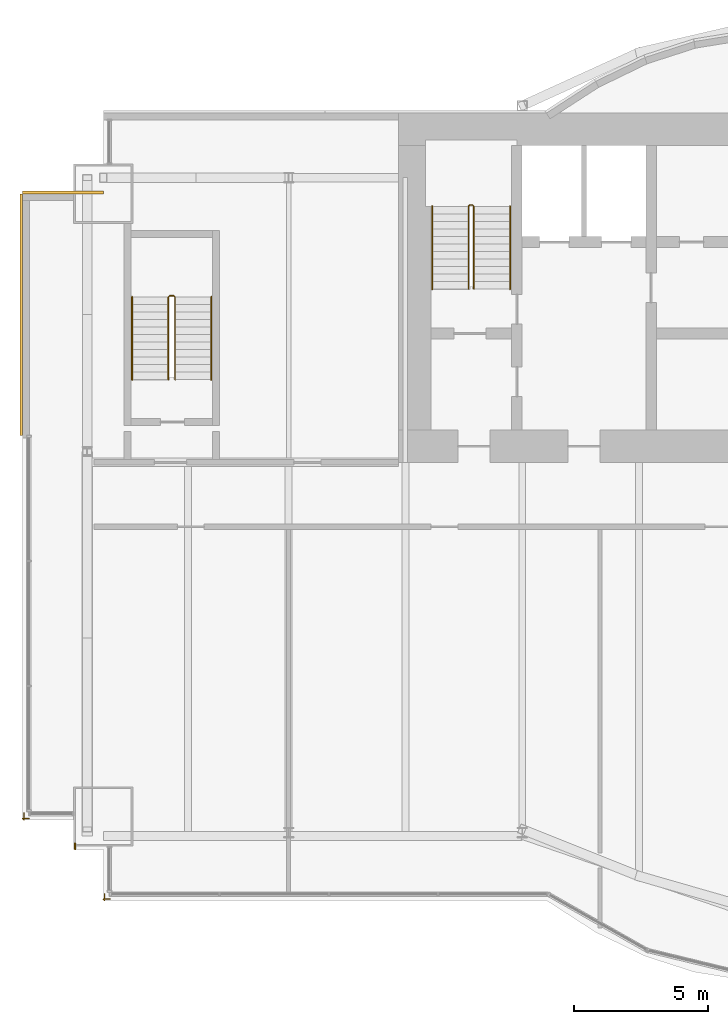
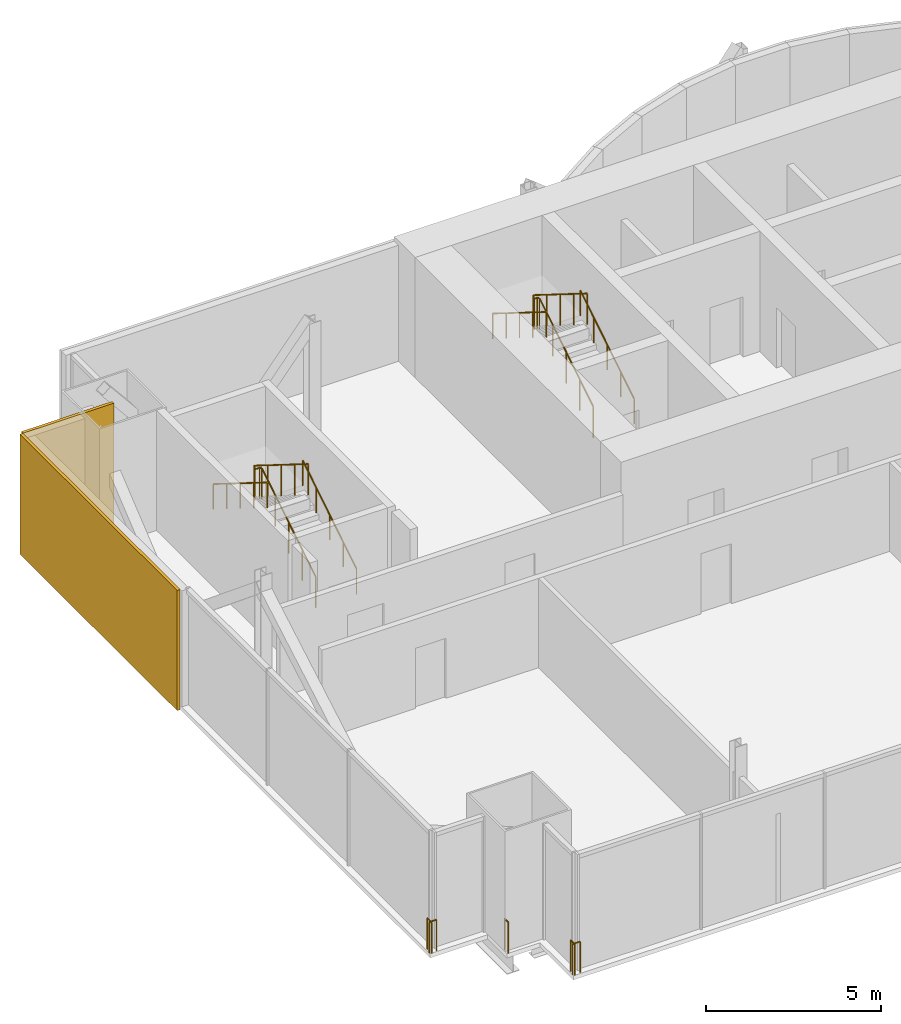
# One storey, part 17 of 19: 9 railings, 2 coverings.
"""IFC4 building model written with IfcOpenShell, lengths in metres."""

import ifcopenshell
import ifcopenshell.guid

model = None  # the IFC model being written
_history = None  # IfcOwnerHistory: only IFC2X3 demands one
_inside = {}  # id of a spatial element -> (the spatial element, [elements in it])
_under = {}  # id of a project, library or spatial element -> (it, [spatial elements below it])
_declared = {}  # id of a project -> (the project, [libraries it declares])
_typed = {}  # id of a type object -> (the type object, [elements of that type])
_made_of = {}  # id of a material, layer set ... -> (it, [elements and type objects made of it])


def new_model(schema):
    """Start an empty IFC model of exactly this schema.

    Asked for "IFC4X3", IfcOpenShell would pick the latest addendum, in which some entities
    have other attributes; the version numbers below select the first issue.
    IFC2X3 requires an IfcOwnerHistory on every rooted entity: one is made here for all.
    """
    global model, _history
    if schema == "IFC4X3":
        model = ifcopenshell.file(schema_version=(4, 3, 0, 0))
    else:
        model = ifcopenshell.file(schema=schema)
    _inside.clear()
    _under.clear()
    _declared.clear()
    _typed.clear()
    _made_of.clear()
    _history = None
    if model.schema == "IFC2X3":
        org = make("IfcOrganization", Name="unknown")
        user = make(
            "IfcPersonAndOrganization",
            ThePerson=make("IfcPerson", FamilyName="unknown"),
            TheOrganization=org,
        )
        app = make(
            "IfcApplication",
            ApplicationDeveloper=org,
            Version="unknown",
            ApplicationFullName="unknown",
            ApplicationIdentifier="unknown",
        )
        _history = make(
            "IfcOwnerHistory",
            OwningUser=user,
            OwningApplication=app,
            ChangeAction="ADDED",
            CreationDate=0,
        )
    return model


def make(cls, **values):
    """One entity of the class cls with the attributes given. An attribute that is None is left unset."""
    return model.create_entity(
        cls, **{name: value for name, value in values.items() if value is not None}
    )


def rooted(cls, **values):
    """An entity with a GlobalId (a new one), such as an element, a storey or a relation."""
    return make(cls, GlobalId=ifcopenshell.guid.new(), OwnerHistory=_history, **values)


def si_unit(unit_type, name, prefix=None):
    """IfcSIUnit, for example si_unit("LENGTHUNIT", "METRE", prefix="MILLI")."""
    return make("IfcSIUnit", UnitType=unit_type, Prefix=prefix, Name=name)


def assignment(units):
    """IfcUnitAssignment: the units of a project."""
    return None if units is None else make("IfcUnitAssignment", Units=units)


def point(xyz):
    """IfcCartesianPoint."""
    return None if xyz is None else make("IfcCartesianPoint", Coordinates=xyz)


def direction(xyz):
    """IfcDirection."""
    return None if xyz is None else make("IfcDirection", DirectionRatios=xyz)


def frame(location, z_axis=None, x_axis=None):
    """IfcAxis2Placement3D, a coordinate frame: its origin and axes. An axis left out is left unset."""
    return make(
        "IfcAxis2Placement3D",
        Location=point(location),
        Axis=direction(z_axis),
        RefDirection=direction(x_axis),
    )


def frame_2d(location, x_axis=None):
    """IfcAxis2Placement2D, a coordinate frame in the plane: its origin and x axis."""
    return make(
        "IfcAxis2Placement2D", Location=point(location), RefDirection=direction(x_axis)
    )


def origin():
    """The frame at (0, 0, 0) with its axes left unset."""
    return frame((0.0, 0.0, 0.0))


def origin_2d():
    """The frame at (0, 0) in the plane with its x axis left unset."""
    return frame_2d((0.0, 0.0))


def place(relative_to, where):
    """IfcLocalPlacement: puts the frame where relative to a parent placement (None: the world)."""
    return make(
        "IfcLocalPlacement", PlacementRelTo=relative_to, RelativePlacement=where
    )


def context(
    kind, dimensions, precision=None, world=None, true_north=None, identifier=None
):
    """IfcGeometricRepresentationContext, for example the 3D "Model" context."""
    return make(
        "IfcGeometricRepresentationContext",
        ContextIdentifier=identifier,
        ContextType=kind,
        CoordinateSpaceDimension=dimensions,
        Precision=precision,
        WorldCoordinateSystem=world,
        TrueNorth=true_north,
    )


def subcontext(parent, identifier, kind, view, scale=None):
    """IfcGeometricRepresentationSubContext, for example "Body" below "Model"."""
    return make(
        "IfcGeometricRepresentationSubContext",
        ContextIdentifier=identifier,
        ContextType=kind,
        ParentContext=parent,
        TargetScale=scale,
        TargetView=view,
    )


def project(units=None, contexts=None):
    """IfcProject with its units and contexts."""
    return rooted(
        "IfcProject",
        Name="project",
        RepresentationContexts=contexts,
        UnitsInContext=assignment(units),
    )


def spatial(cls, under=None, at=None, **own):
    """A site, building, storey or space (cls), placed at a placement, below another one or the project."""
    s = rooted(cls, ObjectPlacement=at, **own)
    if under is not None:
        _under.setdefault(under.id(), (under, []))[1].append(s)
    return s


def profile(cls, at=None, kind="AREA", **sizes):
    """A parametric profile (cls). Its sizes go by their IFC names, for example OverallWidth=200.0."""
    return make(cls, ProfileType=kind, Position=at, **sizes)


def rectangle(**sizes):
    """IfcRectangleProfileDef."""
    return profile("IfcRectangleProfileDef", **sizes)


def circle(**sizes):
    """IfcCircleProfileDef."""
    return profile("IfcCircleProfileDef", **sizes)


def extrude(swept, where, along, depth):
    """IfcExtrudedAreaSolid: the profile swept, set in the frame where, extruded along a direction by depth."""
    return make(
        "IfcExtrudedAreaSolid",
        SweptArea=swept,
        Position=where,
        ExtrudedDirection=direction(along),
        Depth=depth,
    )


def shape(context_of_items, identifier, shape_type, items):
    """IfcShapeRepresentation: the items that make up one representation, for example the "Body"."""
    return make(
        "IfcShapeRepresentation",
        ContextOfItems=context_of_items,
        RepresentationIdentifier=identifier,
        RepresentationType=shape_type,
        Items=items,
    )


def material(Name=None, Category=None):
    """IfcMaterial."""
    return make("IfcMaterial", Name=Name, Category=Category)


def layer(
    of_material, thickness, ventilated=None, Name=None, Category=None, Priority=None
):
    """IfcMaterialLayer: one layer of a wall or slab, of a material (None: an air gap)."""
    return make(
        "IfcMaterialLayer",
        Material=of_material,
        LayerThickness=thickness,
        IsVentilated=ventilated,
        Name=Name,
        Category=Category,
        Priority=Priority,
    )


def layer_set(layers, Name=None):
    """IfcMaterialLayerSet."""
    return make("IfcMaterialLayerSet", MaterialLayers=layers, LayerSetName=Name)


def made_of(thing, what):
    """Note that an element or type object is made of a material, layer set ...; save() writes the relation."""
    if what is not None:
        _made_of.setdefault(what.id(), (what, []))[1].append(thing)
    return thing


def type_object(cls, material=None, **own):
    """A type object (cls), such as IfcWallType, which elements share."""
    return made_of(rooted(cls, **own), material)


def element(
    cls,
    number,
    at=None,
    inside=None,
    cuts=None,
    type_object=None,
    material=None,
    context=None,
    identifier="Body",
    shape_type=None,
    held_by="IfcProductDefinitionShape",
    body=None,
    shapes=None,
    **own,
):
    """One element of the class cls, such as IfcWall. Its Tag is "e" and its number.

    at: its placement. inside: the storey or other place that contains it. cuts: it is an
    opening in that element (IfcRelVoidsElement). A single representation is given by context,
    identifier, shape_type and body (its items); several are given by shapes. held_by: the class
    of the entity that holds the representations. save() writes the other relations.
    """
    e = rooted(cls, Tag="e%d" % number, ObjectPlacement=at, **own)
    if body is not None:
        shapes = [shape(context, identifier, shape_type, body)]
    if shapes is not None:
        e.Representation = make(held_by, Representations=shapes)
    if inside is not None:
        _inside.setdefault(inside.id(), (inside, []))[1].append(e)
    if cuts is not None:
        rooted(
            "IfcRelVoidsElement", RelatingBuildingElement=cuts, RelatedOpeningElement=e
        )
    if type_object is not None:
        _typed.setdefault(type_object.id(), (type_object, []))[1].append(e)
    return made_of(e, material)


def aggregate(whole, parts):
    """IfcRelAggregates: a whole, such as a stair, and the parts it consists of."""
    return rooted("IfcRelAggregates", RelatingObject=whole, RelatedObjects=parts)


def save(model, path):
    """Write the relations noted so far, then the file.

    IfcRelAggregates (storeys below a building ...), IfcRelContainedInSpatialStructure (elements
    in a storey), IfcRelDefinesByType, IfcRelAssociatesMaterial and IfcRelDeclares: one each for
    every whole, place, type object, material and project.
    """
    for whole, parts in _under.values():
        aggregate(whole, parts)
    for where, things in _inside.values():
        rooted(
            "IfcRelContainedInSpatialStructure",
            RelatedElements=things,
            RelatingStructure=where,
        )
    for kind, things in _typed.values():
        rooted("IfcRelDefinesByType", RelatedObjects=things, RelatingType=kind)
    for what, things in _made_of.values():
        rooted("IfcRelAssociatesMaterial", RelatedObjects=things, RelatingMaterial=what)
    for by, libraries in _declared.values():
        rooted("IfcRelDeclares", RelatingContext=by, RelatedDefinitions=libraries)
    model.write(path)


model = new_model("IFC4")

# Units and contexts
model_context = context("Model", 3, precision=1e-05, world=origin(), true_north=direction((0.0, 1.0)))
body_context = subcontext(model_context, "Body", "Model", "MODEL_VIEW")
ifc_project = project(units=[si_unit("LENGTHUNIT", "METRE"), si_unit("AREAUNIT", "SQUARE_METRE"), si_unit("VOLUMEUNIT", "CUBIC_METRE"), si_unit("PLANEANGLEUNIT", "RADIAN"), si_unit("MASSUNIT", "GRAM", prefix="KILO")], contexts=[model_context])

# Site, building, storey
site_placement = place(None, origin())
site = spatial("IfcSite", under=ifc_project, at=site_placement, CompositionType="ELEMENT")
building_placement = place(site_placement, origin())
building = spatial("IfcBuilding", under=site, at=building_placement, Name="Bicima Exchange Tower", CompositionType="ELEMENT")
storey_placement = place(building_placement, frame((0.0, 0.0, 258.199951171875)))
storey = spatial("IfcBuildingStorey", under=building, at=storey_placement, Name="L58", CompositionType="ELEMENT", Elevation=258.199951171875)

# Coverings
ifc_material_1 = material(Name="Bronze metal cladding")
ifc_layer_1 = layer(ifc_material_1, 0.004)
ifc_material_2 = material(Name="Ventilated cavity")
ifc_layer_2 = layer(ifc_material_2, 0.06)
ifc_material_3 = material(Name="Galvanised steel rail and mineral wool", Category="steel")
ifc_layer_3 = layer(ifc_material_3, 0.036)
ifc_layer_set = layer_set([ifc_layer_1, ifc_layer_2, ifc_layer_3], Name="Ventilated cavity")
covering_type = type_object("IfcCoveringType", Name="Bronze metal cladding panel 100", PredefinedType="CLADDING", material=ifc_layer_set)
covering_1_placement = place(storey_placement, frame((-34.5, -2.949951171875, -0.14990234375), z_axis=(0.0, 0.0, 1.0), x_axis=(-1.0, 0.0, 0.0)))
element("IfcCovering", 1, at=covering_1_placement, inside=storey, type_object=covering_type, Name="Bronze cladding L58 22.1", PredefinedType="CLADDING", context=body_context, shape_type="SweptSolid", body=[
    extrude(rectangle(XDim=3.0, YDim=0.10009765625, at=origin_2d()), origin(), (0.0, 0.0, 1.0), 4.199951171875),
])
covering_2_placement = place(storey_placement, frame((-36.050048828125, -7.5, -0.14990234375), z_axis=(0.0, 0.0, 1.0), x_axis=(0.0, -1.0, 0.0)))
element("IfcCovering", 2, at=covering_2_placement, inside=storey, type_object=covering_type, Name="Bronze cladding L58 23.1", PredefinedType="CLADDING", context=body_context, shape_type="SweptSolid", body=[
    extrude(rectangle(XDim=9.0, YDim=0.10009765625, at=origin_2d()), origin(), (0.0, 0.0, 1.0), 4.199951171875),
])

# Railings
ifc_material_4 = material(Name="Stainless steel and bonded safety glass", Category="steel")
railing_type_1 = type_object("IfcRailingType", Name="Edge guard 1100", PredefinedType="GUARDRAIL", material=ifc_material_4)
railing_1_placement = place(storey_placement, frame((-35.762939453125, -26.261962890625, 0.0)))
element("IfcRailing", 3, at=railing_1_placement, inside=storey, type_object=railing_type_1, Name="Edge guard L58 295", PredefinedType="GUARDRAIL", context=body_context, shape_type="SweptSolid", body=[
    extrude(circle(Radius=0.02392578125, at=origin_2d()), frame((0.0, 0.0, 1.076171875), z_axis=(-1.0, 0.0, 0.0), x_axis=(0.0, -1.0, 0.0)), (0.0, 0.0, 1.0), 0.237060546875),
    extrude(circle(Radius=0.02392578125, at=origin_2d()), frame((-0.237060546875, 0.0, 1.076171875), z_axis=(0.707106781187, -0.707106781187, 0.0), x_axis=(0.707106781187, 0.707106781187, 0.0)), (0.0, 0.0, 1.0), 0.07080078125),
    extrude(circle(Radius=0.02392578125, at=origin_2d()), frame((-0.18701171875, -0.050048828125, 1.076171875), z_axis=(0.0, 1.0, 0.0), x_axis=(-1.0, 0.0, 0.0)), (0.0, 0.0, 1.0), 0.248046875),
    extrude(circle(Radius=0.02099609375, at=origin_2d()), origin(), (0.0, 0.0, 1.0), 1.052001953125),
    extrude(circle(Radius=0.02099609375, at=origin_2d()), frame((-0.237060546875, 0.0, 0.0)), (0.0, 0.0, 1.0), 1.052001953125),
    extrude(circle(Radius=0.02099609375, at=origin_2d()), frame((-0.18701171875, -0.050048828125, 0.0)), (0.0, 0.0, 1.0), 1.052001953125),
    extrude(circle(Radius=0.02099609375, at=origin_2d()), frame((-0.18701171875, 0.197998046875, 0.0)), (0.0, 0.0, 1.0), 1.052001953125),
])
railing_2_placement = place(storey_placement, frame((-32.75, -29.261962890625, 0.0)))
element("IfcRailing", 4, at=railing_2_placement, inside=storey, type_object=railing_type_1, Name="Edge guard L58 299", PredefinedType="GUARDRAIL", context=body_context, shape_type="SweptSolid", body=[
    extrude(circle(Radius=0.02392578125, at=origin_2d()), frame((0.0, 0.0, 1.076171875), z_axis=(-1.0, 0.0, 0.0), x_axis=(0.0, -1.0, 0.0)), (0.0, 0.0, 1.0), 0.25),
    extrude(circle(Radius=0.02392578125, at=origin_2d()), frame((-0.25, 0.0, 1.076171875), z_axis=(0.707106781187, -0.707106781187, 0.0), x_axis=(0.707106781187, 0.707106781187, 0.0)), (0.0, 0.0, 1.0), 0.07080078125),
    extrude(circle(Radius=0.02392578125, at=origin_2d()), frame((-0.199951171875, -0.050048828125, 1.076171875), z_axis=(0.0, 1.0, 0.0), x_axis=(-1.0, 0.0, 0.0)), (0.0, 0.0, 1.0), 0.237060546875),
    extrude(circle(Radius=0.02099609375, at=origin_2d()), origin(), (0.0, 0.0, 1.0), 1.052001953125),
    extrude(circle(Radius=0.02099609375, at=origin_2d()), frame((-0.25, 0.0, 0.0)), (0.0, 0.0, 1.0), 1.052001953125),
    extrude(circle(Radius=0.02099609375, at=origin_2d()), frame((-0.199951171875, -0.050048828125, 0.0)), (0.0, 0.0, 1.0), 1.052001953125),
    extrude(circle(Radius=0.02099609375, at=origin_2d()), frame((-0.199951171875, 0.18701171875, 0.0)), (0.0, 0.0, 1.0), 1.052001953125),
])
railing_3_placement = place(storey_placement, frame((-34.050048828125, -27.412109375, 0.0)))
element("IfcRailing", 5, at=railing_3_placement, inside=storey, type_object=railing_type_1, Name="Edge guard L58 300", PredefinedType="GUARDRAIL", context=body_context, shape_type="SweptSolid", body=[
    extrude(circle(Radius=0.02392578125, at=origin_2d()), frame((0.0, 0.0, 1.076171875), z_axis=(0.0, 1.0, 0.0), x_axis=(-1.0, 0.0, 0.0)), (0.0, 0.0, 1.0), 0.22021484375),
    extrude(circle(Radius=0.02099609375, at=origin_2d()), origin(), (0.0, 0.0, 1.0), 1.052001953125),
    extrude(circle(Radius=0.02099609375, at=origin_2d()), frame((0.0, 0.22021484375, 0.0)), (0.0, 0.0, 1.0), 1.052001953125),
])
ifc_material_5 = material(Name="Stainless steel", Category="steel")
railing_type_2 = type_object("IfcRailingType", Name="Stair guard 1100", PredefinedType="GUARDRAIL", material=ifc_material_5)
railing_4_placement = place(storey_placement, frame((-19.199951171875, -6.550048828125, 0.175048828125)))
element("IfcRailing", 6, at=railing_4_placement, inside=storey, type_object=railing_type_2, Name="L58 ST-W stair guard 1", PredefinedType="GUARDRAIL", context=body_context, shape_type="SweptSolid", body=[
    extrude(circle(Radius=0.02392578125, at=origin_2d()), frame((0.0, 0.0, 1.076171875), z_axis=(0.0, 0.847998304005, 0.529998940003), x_axis=(-1.0, 0.0, 0.0)), (0.0, 0.0, 1.0), 3.632080078125),
    extrude(circle(Radius=0.02392578125, at=origin_2d()), frame((0.0, 3.080078125, 3.0009765625), z_axis=(-0.707106781187, 0.707106781187, 0.0), x_axis=(-0.707106781187, -0.707106781187, 0.0)), (0.0, 0.0, 1.0), 0.07080078125),
    extrude(circle(Radius=0.02392578125, at=origin_2d()), frame((-0.050048828125, 3.130126953125, 3.0009765625), z_axis=(-1.0, 0.0, 0.0), x_axis=(0.0, -1.0, 0.0)), (0.0, 0.0, 1.0), 0.10009765625),
    extrude(circle(Radius=0.02392578125, at=origin_2d()), frame((-0.150146484375, 3.130126953125, 3.0009765625), z_axis=(-0.263862480399, -0.265155923931, 0.927399011991), x_axis=(0.708833529934, -0.705375805398, 0.0)), (0.0, 0.0, 1.0), 0.188720703125),
    extrude(circle(Radius=0.02392578125, at=origin_2d()), frame((-0.199951171875, 3.080078125, 3.17626953125), z_axis=(0.0, -0.848028513186, 0.529950602248), x_axis=(1.0, 0.0, 0.0)), (0.0, 0.0, 1.0), 3.632080078125),
    extrude(circle(Radius=0.02099609375, at=origin_2d()), origin(), (0.0, 0.0, 1.0), 1.052001953125),
    extrude(circle(Radius=0.02099609375, at=origin_2d()), frame((0.0, 0.77001953125, 0.481201171875)), (0.0, 0.0, 1.0), 1.052001953125),
    extrude(circle(Radius=0.02099609375, at=origin_2d()), frame((0.0, 1.5400390625, 0.96240234375)), (0.0, 0.0, 1.0), 1.052001953125),
    extrude(circle(Radius=0.02099609375, at=origin_2d()), frame((0.0, 2.31005859375, 1.44384765625)), (0.0, 0.0, 1.0), 1.052001953125),
    extrude(circle(Radius=0.02099609375, at=origin_2d()), frame((0.0, 3.080078125, 1.925048828125)), (0.0, 0.0, 1.0), 1.052001953125),
    extrude(circle(Radius=0.02099609375, at=origin_2d()), frame((-0.050048828125, 3.130126953125, 1.925048828125)), (0.0, 0.0, 1.0), 1.052001953125),
    extrude(circle(Radius=0.02099609375, at=origin_2d()), frame((-0.150146484375, 3.130126953125, 1.925048828125)), (0.0, 0.0, 1.0), 1.052001953125),
    extrude(circle(Radius=0.02099609375, at=origin_2d()), frame((-0.199951171875, 3.080078125, 2.10009765625)), (0.0, 0.0, 1.0), 1.052001953125),
    extrude(circle(Radius=0.02099609375, at=origin_2d()), frame((-0.199951171875, 2.31005859375, 2.581298828125)), (0.0, 0.0, 1.0), 1.052001953125),
    extrude(circle(Radius=0.02099609375, at=origin_2d()), frame((-0.199951171875, 1.5400390625, 3.0625)), (0.0, 0.0, 1.0), 1.052001953125),
    extrude(circle(Radius=0.02099609375, at=origin_2d()), frame((-0.199951171875, 0.77001953125, 3.543701171875)), (0.0, 0.0, 1.0), 1.052001953125),
    extrude(circle(Radius=0.02099609375, at=origin_2d()), frame((-0.199951171875, 0.0, 4.02490234375)), (0.0, 0.0, 1.0), 1.052001953125),
])
railing_5_placement = place(storey_placement, frame((-30.324951171875, -9.925048828125, 0.175048828125)))
element("IfcRailing", 7, at=railing_5_placement, inside=storey, type_object=railing_type_2, Name="L58 ST-WW stair guard 1", PredefinedType="GUARDRAIL", context=body_context, shape_type="SweptSolid", body=[
    extrude(circle(Radius=0.02392578125, at=origin_2d()), frame((0.0, 0.0, 1.076171875), z_axis=(0.0, 0.847998304005, 0.529998940003), x_axis=(-1.0, 0.0, 0.0)), (0.0, 0.0, 1.0), 3.632080078125),
    extrude(circle(Radius=0.02392578125, at=origin_2d()), frame((0.0, 3.080078125, 3.0009765625), z_axis=(-0.707106781187, 0.707106781187, 0.0), x_axis=(-0.707106781187, -0.707106781187, 0.0)), (0.0, 0.0, 1.0), 0.07080078125),
    extrude(circle(Radius=0.02392578125, at=origin_2d()), frame((-0.050048828125, 3.130126953125, 3.0009765625), z_axis=(-1.0, 0.0, 0.0), x_axis=(0.0, -1.0, 0.0)), (0.0, 0.0, 1.0), 0.14990234375),
    extrude(circle(Radius=0.02392578125, at=origin_2d()), frame((-0.199951171875, 3.130126953125, 3.0009765625), z_axis=(-0.265065253269, -0.265065253269, 0.927081885822), x_axis=(0.707106781187, -0.707106781187, 0.0)), (0.0, 0.0, 1.0), 0.188720703125),
    extrude(circle(Radius=0.02392578125, at=origin_2d()), frame((-0.25, 3.080078125, 3.17626953125), z_axis=(0.0, -0.848028513186, 0.529950602248), x_axis=(1.0, 0.0, 0.0)), (0.0, 0.0, 1.0), 3.632080078125),
    extrude(circle(Radius=0.02099609375, at=origin_2d()), origin(), (0.0, 0.0, 1.0), 1.052001953125),
    extrude(circle(Radius=0.02099609375, at=origin_2d()), frame((0.0, 0.77001953125, 0.481201171875)), (0.0, 0.0, 1.0), 1.052001953125),
    extrude(circle(Radius=0.02099609375, at=origin_2d()), frame((0.0, 1.5400390625, 0.96240234375)), (0.0, 0.0, 1.0), 1.052001953125),
    extrude(circle(Radius=0.02099609375, at=origin_2d()), frame((0.0, 2.31005859375, 1.44384765625)), (0.0, 0.0, 1.0), 1.052001953125),
    extrude(circle(Radius=0.02099609375, at=origin_2d()), frame((0.0, 3.080078125, 1.925048828125)), (0.0, 0.0, 1.0), 1.052001953125),
    extrude(circle(Radius=0.02099609375, at=origin_2d()), frame((-0.050048828125, 3.130126953125, 1.925048828125)), (0.0, 0.0, 1.0), 1.052001953125),
    extrude(circle(Radius=0.02099609375, at=origin_2d()), frame((-0.199951171875, 3.130126953125, 1.925048828125)), (0.0, 0.0, 1.0), 1.052001953125),
    extrude(circle(Radius=0.02099609375, at=origin_2d()), frame((-0.25, 3.080078125, 2.10009765625)), (0.0, 0.0, 1.0), 1.052001953125),
    extrude(circle(Radius=0.02099609375, at=origin_2d()), frame((-0.25, 2.31005859375, 2.581298828125)), (0.0, 0.0, 1.0), 1.052001953125),
    extrude(circle(Radius=0.02099609375, at=origin_2d()), frame((-0.25, 1.5400390625, 3.0625)), (0.0, 0.0, 1.0), 1.052001953125),
    extrude(circle(Radius=0.02099609375, at=origin_2d()), frame((-0.25, 0.77001953125, 3.543701171875)), (0.0, 0.0, 1.0), 1.052001953125),
    extrude(circle(Radius=0.02099609375, at=origin_2d()), frame((-0.25, 0.0, 4.02490234375)), (0.0, 0.0, 1.0), 1.052001953125),
])
railing_type_3 = type_object("IfcRailingType", Name="Stair handrail 900", PredefinedType="HANDRAIL", material=ifc_material_5)
railing_6_placement = place(storey_placement, frame((-17.85009765625, -6.550048828125, 0.175048828125)))
element("IfcRailing", 8, at=railing_6_placement, inside=storey, type_object=railing_type_3, Name="L58 ST-W stair handrail 1", PredefinedType="HANDRAIL", context=body_context, shape_type="SweptSolid", body=[
    extrude(circle(Radius=0.02392578125, at=origin_2d()), frame((0.0, 0.0, 0.8759765625), z_axis=(0.0, 0.847998304005, 0.529998940003), x_axis=(-1.0, 0.0, 0.0)), (0.0, 0.0, 1.0), 3.632080078125),
    extrude(circle(Radius=0.02099609375, at=origin_2d()), origin(), (0.0, 0.0, 1.0), 0.851806640625),
    extrude(circle(Radius=0.02099609375, at=origin_2d()), frame((0.0, 0.77001953125, 0.481201171875)), (0.0, 0.0, 1.0), 0.851806640625),
    extrude(circle(Radius=0.02099609375, at=origin_2d()), frame((0.0, 1.5400390625, 0.96240234375)), (0.0, 0.0, 1.0), 0.851806640625),
    extrude(circle(Radius=0.02099609375, at=origin_2d()), frame((0.0, 2.31005859375, 1.44384765625)), (0.0, 0.0, 1.0), 0.851806640625),
    extrude(circle(Radius=0.02099609375, at=origin_2d()), frame((0.0, 3.080078125, 1.925048828125)), (0.0, 0.0, 1.0), 0.851806640625),
])
railing_7_placement = place(storey_placement, frame((-20.75, -3.469970703125, 2.303955078125)))
element("IfcRailing", 9, at=railing_7_placement, inside=storey, type_object=railing_type_3, Name="L58 ST-W stair handrail 2", PredefinedType="HANDRAIL", context=body_context, shape_type="SweptSolid", body=[
    extrude(circle(Radius=0.02392578125, at=origin_2d()), frame((0.0, 0.0, 0.8759765625), z_axis=(0.0, -0.847998304005, 0.529998940003), x_axis=(1.0, 0.0, 0.0)), (0.0, 0.0, 1.0), 3.632080078125),
    extrude(circle(Radius=0.02099609375, at=origin_2d()), origin(), (0.0, 0.0, 1.0), 0.851806640625),
    extrude(circle(Radius=0.02099609375, at=origin_2d()), frame((0.0, -0.77001953125, 0.481201171875)), (0.0, 0.0, 1.0), 0.851806640625),
    extrude(circle(Radius=0.02099609375, at=origin_2d()), frame((0.0, -1.5400390625, 0.96240234375)), (0.0, 0.0, 1.0), 0.851806640625),
    extrude(circle(Radius=0.02099609375, at=origin_2d()), frame((0.0, -2.31005859375, 1.44384765625)), (0.0, 0.0, 1.0), 0.851806640625),
    extrude(circle(Radius=0.02099609375, at=origin_2d()), frame((0.0, -3.080078125, 1.925048828125)), (0.0, 0.0, 1.0), 0.851806640625),
])
railing_8_placement = place(storey_placement, frame((-28.97509765625, -9.925048828125, 0.175048828125)))
element("IfcRailing", 10, at=railing_8_placement, inside=storey, type_object=railing_type_3, Name="L58 ST-WW stair handrail 1", PredefinedType="HANDRAIL", context=body_context, shape_type="SweptSolid", body=[
    extrude(circle(Radius=0.02392578125, at=origin_2d()), frame((0.0, 0.0, 0.8759765625), z_axis=(0.0, 0.847998304005, 0.529998940003), x_axis=(-1.0, 0.0, 0.0)), (0.0, 0.0, 1.0), 3.632080078125),
    extrude(circle(Radius=0.02099609375, at=origin_2d()), origin(), (0.0, 0.0, 1.0), 0.851806640625),
    extrude(circle(Radius=0.02099609375, at=origin_2d()), frame((0.0, 0.77001953125, 0.481201171875)), (0.0, 0.0, 1.0), 0.851806640625),
    extrude(circle(Radius=0.02099609375, at=origin_2d()), frame((0.0, 1.5400390625, 0.96240234375)), (0.0, 0.0, 1.0), 0.851806640625),
    extrude(circle(Radius=0.02099609375, at=origin_2d()), frame((0.0, 2.31005859375, 1.44384765625)), (0.0, 0.0, 1.0), 0.851806640625),
    extrude(circle(Radius=0.02099609375, at=origin_2d()), frame((0.0, 3.080078125, 1.925048828125)), (0.0, 0.0, 1.0), 0.851806640625),
])
railing_9_placement = place(storey_placement, frame((-31.925048828125, -6.844970703125, 2.303955078125)))
element("IfcRailing", 11, at=railing_9_placement, inside=storey, type_object=railing_type_3, Name="L58 ST-WW stair handrail 2", PredefinedType="HANDRAIL", context=body_context, shape_type="SweptSolid", body=[
    extrude(circle(Radius=0.02392578125, at=origin_2d()), frame((0.0, 0.0, 0.8759765625), z_axis=(0.0, -0.847998304005, 0.529998940003), x_axis=(1.0, 0.0, 0.0)), (0.0, 0.0, 1.0), 3.632080078125),
    extrude(circle(Radius=0.02099609375, at=origin_2d()), origin(), (0.0, 0.0, 1.0), 0.851806640625),
    extrude(circle(Radius=0.02099609375, at=origin_2d()), frame((0.0, -0.77001953125, 0.481201171875)), (0.0, 0.0, 1.0), 0.851806640625),
    extrude(circle(Radius=0.02099609375, at=origin_2d()), frame((0.0, -1.5400390625, 0.96240234375)), (0.0, 0.0, 1.0), 0.851806640625),
    extrude(circle(Radius=0.02099609375, at=origin_2d()), frame((0.0, -2.31005859375, 1.44384765625)), (0.0, 0.0, 1.0), 0.851806640625),
    extrude(circle(Radius=0.02099609375, at=origin_2d()), frame((0.0, -3.080078125, 1.925048828125)), (0.0, 0.0, 1.0), 0.851806640625),
])

save(model, "model.ifc")
